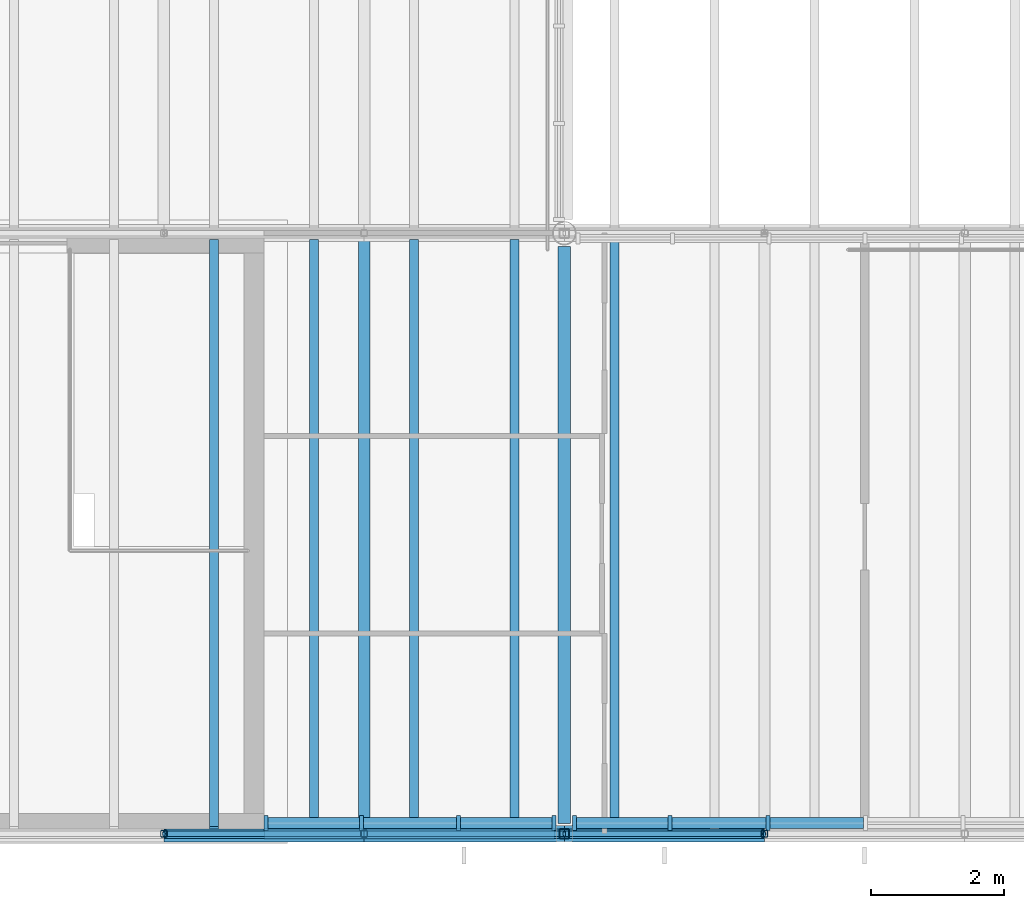
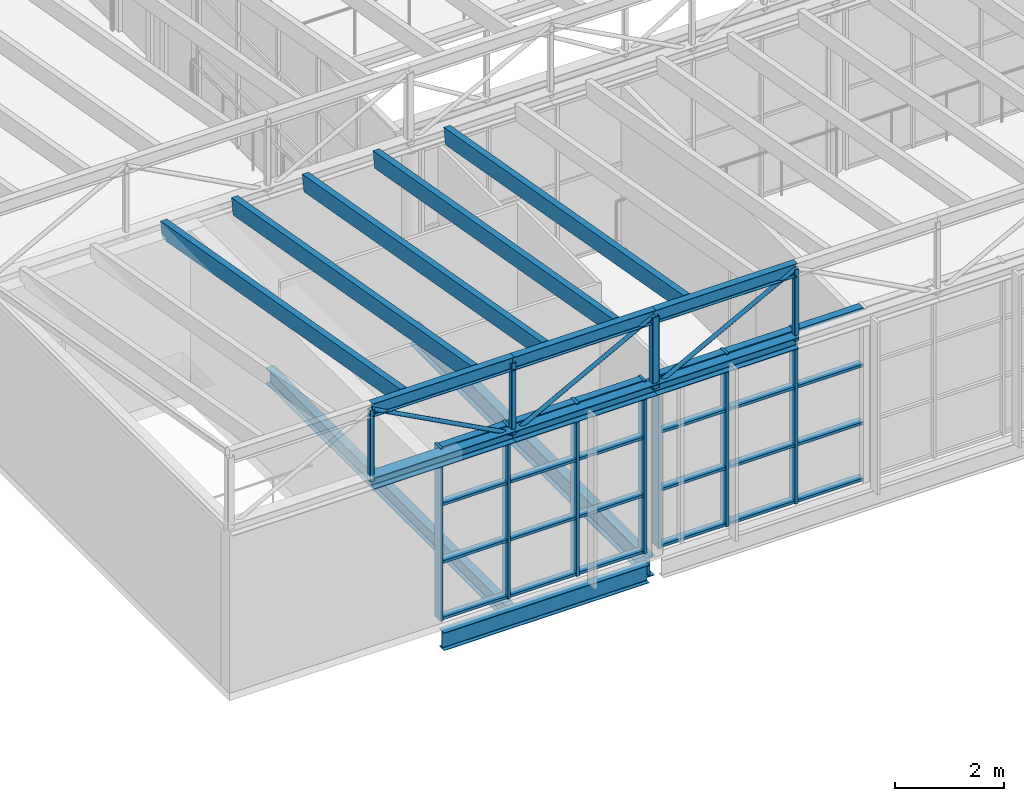
# One storey, part 6 of 44: 49 members, 3 beams, 2 elements without a shape of their own.
"""IFC4 building model written with IfcOpenShell, lengths in metres."""

from ifc_helpers import new_model, si_unit, direction, frame, origin, origin_2d, place, context, subcontext, project, spatial, rectangle, hollow_rectangle, hollow_circle, i_section, extrude, material, layer, layer_set, material_profile, profile_set, type_object, element, aggregate, save


model = new_model("IFC4")

# Units and contexts
model_context = context("Model", 3, precision=1e-05, world=origin(), true_north=direction((0.0, 1.0)))
body_context = subcontext(model_context, "Body", "Model", "MODEL_VIEW")
ifc_project = project(units=[si_unit("LENGTHUNIT", "METRE"), si_unit("AREAUNIT", "SQUARE_METRE"), si_unit("VOLUMEUNIT", "CUBIC_METRE"), si_unit("PLANEANGLEUNIT", "RADIAN"), si_unit("MASSUNIT", "GRAM", prefix="KILO")], contexts=[model_context])

# Site, building, storey
site_placement = place(None, origin())
site = spatial("IfcSite", under=ifc_project, at=site_placement, CompositionType="ELEMENT")
building_placement = place(site_placement, origin())
building = spatial("IfcBuilding", under=site, at=building_placement, Name="Halyard Row Museum", CompositionType="ELEMENT")
storey_placement = place(building_placement, frame((0.0, 0.0, 21.199951171875)))
storey = spatial("IfcBuildingStorey", under=building, at=storey_placement, Name="L04", CompositionType="ELEMENT", Elevation=21.199951171875)

# Curtain wall, members
ifc_material_1 = material(Name="Double glazed unit, low-emissivity", Category="glass")
ifc_layer = layer(ifc_material_1, 0.219970703125)
ifc_layer_set = layer_set([ifc_layer], Name="Double glazed unit, low-emissivity")
curtain_wall_type = type_object("IfcCurtainWallType", Name="Curtain wall unitised 220 deep", PredefinedType="NOTDEFINED", material=ifc_layer_set)
curtain_wall_1_placement = place(storey_placement, origin())
curtain_wall_1 = element("IfcCurtainWall", 1, at=curtain_wall_1_placement, inside=storey, type_object=curtain_wall_type, Name="Curtain wall CW055", PredefinedType="NOTDEFINED")
ifc_material_2 = material(Name="Powder-coated aluminium section", Category="aluminium")
ifc_material_profile_1 = material_profile(ifc_material_2, rectangle(XDim=0.219970703125, YDim=0.06005859375, at=origin_2d()), Name="220x60 mullion")
ifc_profile_set_1 = profile_set([ifc_material_profile_1], Name="Powder-coated aluminium section")
member_type_1 = type_object("IfcMemberType", Name="Curtain wall mullion CM3 60 x 220", PredefinedType="MULLION", material=ifc_profile_set_1)
member_1_placement = place(storey_placement, frame((76.530029296875, 0.159912109375, 0.0), z_axis=(0.0, 0.0, 1.0), x_axis=(0.0, 1.0, 0.0)))
member_1 = element("IfcMember", 2, at=member_1_placement, type_object=member_type_1, Name="CW055 mullion 1", PredefinedType="MULLION", context=body_context, shape_type="SweptSolid", body=[
    extrude(rectangle(XDim=0.219970703125, YDim=0.06005859375, at=origin_2d()), origin(), (0.0, 0.0, 1.0), 3.878173828125),
])
member_2_placement = place(storey_placement, frame((77.958251953125, 0.159912109375, 0.0), z_axis=(0.0, 0.0, 1.0), x_axis=(0.0, 1.0, 0.0)))
member_2 = element("IfcMember", 3, at=member_2_placement, type_object=member_type_1, Name="CW055 mullion 2", PredefinedType="MULLION", context=body_context, shape_type="SweptSolid", body=[
    extrude(rectangle(XDim=0.219970703125, YDim=0.06005859375, at=origin_2d()), origin(), (0.0, 0.0, 1.0), 3.878173828125),
])
member_3_placement = place(storey_placement, frame((79.416748046875, 0.159912109375, 0.0), z_axis=(0.0, 0.0, 1.0), x_axis=(0.0, 1.0, 0.0)))
member_3 = element("IfcMember", 4, at=member_3_placement, type_object=member_type_1, Name="CW055 mullion 3", PredefinedType="MULLION", context=body_context, shape_type="SweptSolid", body=[
    extrude(rectangle(XDim=0.219970703125, YDim=0.06005859375, at=origin_2d()), origin(), (0.0, 0.0, 1.0), 3.878173828125),
])
member_4_placement = place(storey_placement, frame((80.844970703125, 0.159912109375, 0.0), z_axis=(0.0, 0.0, 1.0), x_axis=(0.0, 1.0, 0.0)))
member_4 = element("IfcMember", 5, at=member_4_placement, type_object=member_type_1, Name="CW055 mullion 4", PredefinedType="MULLION", context=body_context, shape_type="SweptSolid", body=[
    extrude(rectangle(XDim=0.219970703125, YDim=0.06005859375, at=origin_2d()), origin(), (0.0, 0.0, 1.0), 3.878173828125),
])

curtain_wall_2_placement = place(storey_placement, origin())
curtain_wall_2 = element("IfcCurtainWall", 6, at=curtain_wall_2_placement, inside=storey, type_object=curtain_wall_type, Name="Curtain wall CW056", PredefinedType="NOTDEFINED")
member_5_placement = place(storey_placement, frame((81.155029296875, 0.159912109375, 0.0), z_axis=(0.0, 0.0, 1.0), x_axis=(0.0, 1.0, 0.0)))
member_5 = element("IfcMember", 7, at=member_5_placement, type_object=member_type_1, Name="CW056 mullion 1", PredefinedType="MULLION", context=body_context, shape_type="SweptSolid", body=[
    extrude(rectangle(XDim=0.219970703125, YDim=0.06005859375, at=origin_2d()), origin(), (0.0, 0.0, 1.0), 3.878173828125),
])
member_6_placement = place(storey_placement, frame((82.58740234375, 0.159912109375, 0.0), z_axis=(0.0, 0.0, 1.0), x_axis=(0.0, 1.0, 0.0)))
member_6 = element("IfcMember", 8, at=member_6_placement, type_object=member_type_1, Name="CW056 mullion 2", PredefinedType="MULLION", context=body_context, shape_type="SweptSolid", body=[
    extrude(rectangle(XDim=0.219970703125, YDim=0.06005859375, at=origin_2d()), origin(), (0.0, 0.0, 1.0), 3.878173828125),
])
member_7_placement = place(storey_placement, frame((84.050048828125, 0.159912109375, 0.0), z_axis=(0.0, 0.0, 1.0), x_axis=(0.0, 1.0, 0.0)))
member_7 = element("IfcMember", 9, at=member_7_placement, type_object=member_type_1, Name="CW056 mullion 3", PredefinedType="MULLION", context=body_context, shape_type="SweptSolid", body=[
    extrude(rectangle(XDim=0.219970703125, YDim=0.06005859375, at=origin_2d()), origin(), (0.0, 0.0, 1.0), 3.878173828125),
])

# Member
ifc_material_3 = material(Name="Powder-coated aluminium section", Category="aluminium")
ifc_material_profile_2 = material_profile(ifc_material_3, rectangle(XDim=0.159912109375, YDim=0.06005859375, at=origin_2d()), Name="160x60 transom")
ifc_profile_set_2 = profile_set([ifc_material_profile_2], Name="Powder-coated aluminium section")
member_type_2 = type_object("IfcMemberType", Name="Curtain wall transom CT3 60 x 160", PredefinedType="USERDEFINED", material=ifc_profile_set_2)
member_8_placement = place(storey_placement, frame((76.56005859375, 0.159912109375, 0.030029296875), z_axis=(1.0, 0.0, 0.0), x_axis=(0.0, 1.0, 0.0)))
member_8 = element("IfcMember", 10, at=member_8_placement, type_object=member_type_2, Name="CW055 transom 1.1", ObjectType="TRANSOM", PredefinedType="USERDEFINED", context=body_context, shape_type="SweptSolid", body=[
    extrude(rectangle(XDim=0.159912109375, YDim=0.06005859375, at=origin_2d()), origin(), (0.0, 0.0, 1.0), 1.3681640625),
])

member_9_placement = place(storey_placement, frame((76.56005859375, 0.159912109375, 1.292724609375), z_axis=(1.0, 0.0, 0.0), x_axis=(0.0, 1.0, 0.0)))
member_9 = element("IfcMember", 11, at=member_9_placement, type_object=member_type_2, Name="CW055 transom 1.2", ObjectType="TRANSOM", PredefinedType="USERDEFINED", context=body_context, shape_type="SweptSolid", body=[
    extrude(rectangle(XDim=0.159912109375, YDim=0.06005859375, at=origin_2d()), origin(), (0.0, 0.0, 1.0), 1.3681640625),
])

member_10_placement = place(storey_placement, frame((76.56005859375, 0.159912109375, 2.58544921875), z_axis=(1.0, 0.0, 0.0), x_axis=(0.0, 1.0, 0.0)))
member_10 = element("IfcMember", 12, at=member_10_placement, type_object=member_type_2, Name="CW055 transom 1.3", ObjectType="TRANSOM", PredefinedType="USERDEFINED", context=body_context, shape_type="SweptSolid", body=[
    extrude(rectangle(XDim=0.159912109375, YDim=0.06005859375, at=origin_2d()), origin(), (0.0, 0.0, 1.0), 1.3681640625),
])

member_11_placement = place(storey_placement, frame((76.56005859375, 0.159912109375, 3.84814453125), z_axis=(1.0, 0.0, 0.0), x_axis=(0.0, 1.0, 0.0)))
member_11 = element("IfcMember", 13, at=member_11_placement, type_object=member_type_2, Name="CW055 transom 1.4", ObjectType="TRANSOM", PredefinedType="USERDEFINED", context=body_context, shape_type="SweptSolid", body=[
    extrude(rectangle(XDim=0.159912109375, YDim=0.06005859375, at=origin_2d()), origin(), (0.0, 0.0, 1.0), 1.3681640625),
])

member_12_placement = place(storey_placement, frame((77.98828125, 0.159912109375, 0.030029296875), z_axis=(1.0, 0.0, 0.0), x_axis=(0.0, 1.0, 0.0)))
member_12 = element("IfcMember", 14, at=member_12_placement, type_object=member_type_2, Name="CW055 transom 2.1", ObjectType="TRANSOM", PredefinedType="USERDEFINED", context=body_context, shape_type="SweptSolid", body=[
    extrude(rectangle(XDim=0.159912109375, YDim=0.06005859375, at=origin_2d()), origin(), (0.0, 0.0, 1.0), 1.3984375),
])

member_13_placement = place(storey_placement, frame((77.98828125, 0.159912109375, 1.292724609375), z_axis=(1.0, 0.0, 0.0), x_axis=(0.0, 1.0, 0.0)))
member_13 = element("IfcMember", 15, at=member_13_placement, type_object=member_type_2, Name="CW055 transom 2.2", ObjectType="TRANSOM", PredefinedType="USERDEFINED", context=body_context, shape_type="SweptSolid", body=[
    extrude(rectangle(XDim=0.159912109375, YDim=0.06005859375, at=origin_2d()), origin(), (0.0, 0.0, 1.0), 1.3984375),
])

member_14_placement = place(storey_placement, frame((77.98828125, 0.159912109375, 2.58544921875), z_axis=(1.0, 0.0, 0.0), x_axis=(0.0, 1.0, 0.0)))
member_14 = element("IfcMember", 16, at=member_14_placement, type_object=member_type_2, Name="CW055 transom 2.3", ObjectType="TRANSOM", PredefinedType="USERDEFINED", context=body_context, shape_type="SweptSolid", body=[
    extrude(rectangle(XDim=0.159912109375, YDim=0.06005859375, at=origin_2d()), origin(), (0.0, 0.0, 1.0), 1.3984375),
])

member_15_placement = place(storey_placement, frame((77.98828125, 0.159912109375, 3.84814453125), z_axis=(1.0, 0.0, 0.0), x_axis=(0.0, 1.0, 0.0)))
member_15 = element("IfcMember", 17, at=member_15_placement, type_object=member_type_2, Name="CW055 transom 2.4", ObjectType="TRANSOM", PredefinedType="USERDEFINED", context=body_context, shape_type="SweptSolid", body=[
    extrude(rectangle(XDim=0.159912109375, YDim=0.06005859375, at=origin_2d()), origin(), (0.0, 0.0, 1.0), 1.3984375),
])

member_16_placement = place(storey_placement, frame((79.44677734375, 0.159912109375, 0.030029296875), z_axis=(1.0, 0.0, 0.0), x_axis=(0.0, 1.0, 0.0)))
member_16 = element("IfcMember", 18, at=member_16_placement, type_object=member_type_2, Name="CW055 transom 3.1", ObjectType="TRANSOM", PredefinedType="USERDEFINED", context=body_context, shape_type="SweptSolid", body=[
    extrude(rectangle(XDim=0.159912109375, YDim=0.06005859375, at=origin_2d()), origin(), (0.0, 0.0, 1.0), 1.3681640625),
])

member_17_placement = place(storey_placement, frame((79.44677734375, 0.159912109375, 1.292724609375), z_axis=(1.0, 0.0, 0.0), x_axis=(0.0, 1.0, 0.0)))
member_17 = element("IfcMember", 19, at=member_17_placement, type_object=member_type_2, Name="CW055 transom 3.2", ObjectType="TRANSOM", PredefinedType="USERDEFINED", context=body_context, shape_type="SweptSolid", body=[
    extrude(rectangle(XDim=0.159912109375, YDim=0.06005859375, at=origin_2d()), origin(), (0.0, 0.0, 1.0), 1.3681640625),
])

member_18_placement = place(storey_placement, frame((79.44677734375, 0.159912109375, 2.58544921875), z_axis=(1.0, 0.0, 0.0), x_axis=(0.0, 1.0, 0.0)))
member_18 = element("IfcMember", 20, at=member_18_placement, type_object=member_type_2, Name="CW055 transom 3.3", ObjectType="TRANSOM", PredefinedType="USERDEFINED", context=body_context, shape_type="SweptSolid", body=[
    extrude(rectangle(XDim=0.159912109375, YDim=0.06005859375, at=origin_2d()), origin(), (0.0, 0.0, 1.0), 1.3681640625),
])

member_19_placement = place(storey_placement, frame((79.44677734375, 0.159912109375, 3.84814453125), z_axis=(1.0, 0.0, 0.0), x_axis=(0.0, 1.0, 0.0)))
member_19 = element("IfcMember", 21, at=member_19_placement, type_object=member_type_2, Name="CW055 transom 3.4", ObjectType="TRANSOM", PredefinedType="USERDEFINED", context=body_context, shape_type="SweptSolid", body=[
    extrude(rectangle(XDim=0.159912109375, YDim=0.06005859375, at=origin_2d()), origin(), (0.0, 0.0, 1.0), 1.3681640625),
])

aggregate(curtain_wall_1, [member_1, member_2, member_3, member_4, member_8, member_9, member_10, member_11, member_12, member_13, member_14, member_15, member_16, member_17, member_18, member_19])

member_20_placement = place(storey_placement, frame((81.18505859375, 0.159912109375, 0.030029296875), z_axis=(1.0, 0.0, 0.0), x_axis=(0.0, 1.0, 0.0)))
member_20 = element("IfcMember", 22, at=member_20_placement, type_object=member_type_2, Name="CW056 transom 1.1", ObjectType="TRANSOM", PredefinedType="USERDEFINED", context=body_context, shape_type="SweptSolid", body=[
    extrude(rectangle(XDim=0.159912109375, YDim=0.06005859375, at=origin_2d()), origin(), (0.0, 0.0, 1.0), 1.37255859375),
])

member_21_placement = place(storey_placement, frame((81.18505859375, 0.159912109375, 1.292724609375), z_axis=(1.0, 0.0, 0.0), x_axis=(0.0, 1.0, 0.0)))
member_21 = element("IfcMember", 23, at=member_21_placement, type_object=member_type_2, Name="CW056 transom 1.2", ObjectType="TRANSOM", PredefinedType="USERDEFINED", context=body_context, shape_type="SweptSolid", body=[
    extrude(rectangle(XDim=0.159912109375, YDim=0.06005859375, at=origin_2d()), origin(), (0.0, 0.0, 1.0), 1.37255859375),
])

member_22_placement = place(storey_placement, frame((81.18505859375, 0.159912109375, 2.58544921875), z_axis=(1.0, 0.0, 0.0), x_axis=(0.0, 1.0, 0.0)))
member_22 = element("IfcMember", 24, at=member_22_placement, type_object=member_type_2, Name="CW056 transom 1.3", ObjectType="TRANSOM", PredefinedType="USERDEFINED", context=body_context, shape_type="SweptSolid", body=[
    extrude(rectangle(XDim=0.159912109375, YDim=0.06005859375, at=origin_2d()), origin(), (0.0, 0.0, 1.0), 1.37255859375),
])

member_23_placement = place(storey_placement, frame((81.18505859375, 0.159912109375, 3.84814453125), z_axis=(1.0, 0.0, 0.0), x_axis=(0.0, 1.0, 0.0)))
member_23 = element("IfcMember", 25, at=member_23_placement, type_object=member_type_2, Name="CW056 transom 1.4", ObjectType="TRANSOM", PredefinedType="USERDEFINED", context=body_context, shape_type="SweptSolid", body=[
    extrude(rectangle(XDim=0.159912109375, YDim=0.06005859375, at=origin_2d()), origin(), (0.0, 0.0, 1.0), 1.37255859375),
])

member_24_placement = place(storey_placement, frame((82.617431640625, 0.159912109375, 0.030029296875), z_axis=(1.0, 0.0, 0.0), x_axis=(0.0, 1.0, 0.0)))
member_24 = element("IfcMember", 26, at=member_24_placement, type_object=member_type_2, Name="CW056 transom 2.1", ObjectType="TRANSOM", PredefinedType="USERDEFINED", context=body_context, shape_type="SweptSolid", body=[
    extrude(rectangle(XDim=0.159912109375, YDim=0.06005859375, at=origin_2d()), origin(), (0.0, 0.0, 1.0), 1.402587890625),
])

member_25_placement = place(storey_placement, frame((82.617431640625, 0.159912109375, 1.292724609375), z_axis=(1.0, 0.0, 0.0), x_axis=(0.0, 1.0, 0.0)))
member_25 = element("IfcMember", 27, at=member_25_placement, type_object=member_type_2, Name="CW056 transom 2.2", ObjectType="TRANSOM", PredefinedType="USERDEFINED", context=body_context, shape_type="SweptSolid", body=[
    extrude(rectangle(XDim=0.159912109375, YDim=0.06005859375, at=origin_2d()), origin(), (0.0, 0.0, 1.0), 1.402587890625),
])

member_26_placement = place(storey_placement, frame((82.617431640625, 0.159912109375, 2.58544921875), z_axis=(1.0, 0.0, 0.0), x_axis=(0.0, 1.0, 0.0)))
member_26 = element("IfcMember", 28, at=member_26_placement, type_object=member_type_2, Name="CW056 transom 2.3", ObjectType="TRANSOM", PredefinedType="USERDEFINED", context=body_context, shape_type="SweptSolid", body=[
    extrude(rectangle(XDim=0.159912109375, YDim=0.06005859375, at=origin_2d()), origin(), (0.0, 0.0, 1.0), 1.402587890625),
])

member_27_placement = place(storey_placement, frame((82.617431640625, 0.159912109375, 3.84814453125), z_axis=(1.0, 0.0, 0.0), x_axis=(0.0, 1.0, 0.0)))
member_27 = element("IfcMember", 29, at=member_27_placement, type_object=member_type_2, Name="CW056 transom 2.4", ObjectType="TRANSOM", PredefinedType="USERDEFINED", context=body_context, shape_type="SweptSolid", body=[
    extrude(rectangle(XDim=0.159912109375, YDim=0.06005859375, at=origin_2d()), origin(), (0.0, 0.0, 1.0), 1.402587890625),
])

member_28_placement = place(storey_placement, frame((84.080078125, 0.159912109375, 0.030029296875), z_axis=(1.0, 0.0, 0.0), x_axis=(0.0, 1.0, 0.0)))
member_28 = element("IfcMember", 30, at=member_28_placement, type_object=member_type_2, Name="CW056 transom 3.1", ObjectType="TRANSOM", PredefinedType="USERDEFINED", context=body_context, shape_type="SweptSolid", body=[
    extrude(rectangle(XDim=0.159912109375, YDim=0.06005859375, at=origin_2d()), origin(), (0.0, 0.0, 1.0), 1.40234375),
])

member_29_placement = place(storey_placement, frame((84.080078125, 0.159912109375, 1.292724609375), z_axis=(1.0, 0.0, 0.0), x_axis=(0.0, 1.0, 0.0)))
member_29 = element("IfcMember", 31, at=member_29_placement, type_object=member_type_2, Name="CW056 transom 3.2", ObjectType="TRANSOM", PredefinedType="USERDEFINED", context=body_context, shape_type="SweptSolid", body=[
    extrude(rectangle(XDim=0.159912109375, YDim=0.06005859375, at=origin_2d()), origin(), (0.0, 0.0, 1.0), 1.40234375),
])

member_30_placement = place(storey_placement, frame((84.080078125, 0.159912109375, 2.58544921875), z_axis=(1.0, 0.0, 0.0), x_axis=(0.0, 1.0, 0.0)))
member_30 = element("IfcMember", 32, at=member_30_placement, type_object=member_type_2, Name="CW056 transom 3.3", ObjectType="TRANSOM", PredefinedType="USERDEFINED", context=body_context, shape_type="SweptSolid", body=[
    extrude(rectangle(XDim=0.159912109375, YDim=0.06005859375, at=origin_2d()), origin(), (0.0, 0.0, 1.0), 1.40234375),
])

member_31_placement = place(storey_placement, frame((84.080078125, 0.159912109375, 3.84814453125), z_axis=(1.0, 0.0, 0.0), x_axis=(0.0, 1.0, 0.0)))
member_31 = element("IfcMember", 33, at=member_31_placement, type_object=member_type_2, Name="CW056 transom 3.4", ObjectType="TRANSOM", PredefinedType="USERDEFINED", context=body_context, shape_type="SweptSolid", body=[
    extrude(rectangle(XDim=0.159912109375, YDim=0.06005859375, at=origin_2d()), origin(), (0.0, 0.0, 1.0), 1.40234375),
])

aggregate(curtain_wall_2, [member_5, member_6, member_7, member_20, member_21, member_22, member_23, member_24, member_25, member_26, member_27, member_28, member_29, member_30, member_31])

# Beams
ifc_material_4 = material(Name="Steel Grade 300", Category="steel")
ifc_material_profile_3 = material_profile(ifc_material_4, i_section(OverallWidth=0.177978515625, OverallDepth=0.402587890625, WebThickness=0.007568359375, FlangeThickness=0.010986328125, FilletRadius=0.011474609375, at=origin_2d()), Name="410UB53.7")
ifc_profile_set_3 = profile_set([ifc_material_profile_3], Name="Steel Grade 300")
beam_type_1 = type_object("IfcBeamType", Name="Edge beam 410UB53.7", PredefinedType="BEAM", material=ifc_profile_set_3)
beam_1_placement = place(storey_placement, frame((76.5, 0.0, -0.3662109375), z_axis=(1.0, 0.0, 0.0), x_axis=(0.0, 1.0, 0.0)))
element("IfcBeam", 34, at=beam_1_placement, inside=storey, type_object=beam_type_1, Name="Beam L04-001", PredefinedType="BEAM", context=body_context, shape_type="SweptSolid", body=[
    extrude(i_section(OverallWidth=0.177978515625, OverallDepth=0.402587890625, WebThickness=0.007568359375, FlangeThickness=0.010986328125, FilletRadius=0.011474609375, at=origin_2d()), origin(), (0.0, 0.0, 1.0), 4.35009765625),
])
ifc_material_5 = material(Name="Steel Grade 300", Category="steel")
ifc_material_profile_4 = material_profile(ifc_material_5, i_section(OverallWidth=0.19091796875, OverallDepth=0.46044921875, WebThickness=0.010009765625, FlangeThickness=0.01611328125, FilletRadius=0.011474609375, at=origin_2d()), Name="460UB82.1")
ifc_profile_set_4 = profile_set([ifc_material_profile_4], Name="Steel Grade 300")
beam_type_2 = type_object("IfcBeamType", Name="Girder beam 460UB82.1", PredefinedType="BEAM", material=ifc_profile_set_4)
beam_2_placement = place(storey_placement, frame((81.0, 0.14990234375, -0.395263671875), z_axis=(0.0, 1.0, 0.0), x_axis=(-1.0, 0.0, 0.0)))
element("IfcBeam", 35, at=beam_2_placement, inside=storey, type_object=beam_type_2, Name="Beam L04-021", PredefinedType="BEAM", context=body_context, shape_type="SweptSolid", body=[
    extrude(i_section(OverallWidth=0.19091796875, OverallDepth=0.46044921875, WebThickness=0.010009765625, FlangeThickness=0.01611328125, FilletRadius=0.011474609375, at=origin_2d()), origin(), (0.0, 0.0, 1.0), 8.64697265625),
])

# Members
ifc_material_6 = material(Name="Glulam GL12 radiata pine", Category="wood")
ifc_material_profile_5 = material_profile(ifc_material_6, rectangle(XDim=0.135009765625, YDim=0.360107421875, at=origin_2d()), Name="GL12 135x360")
ifc_profile_set_5 = profile_set([ifc_material_profile_5], Name="Glulam GL12 radiata pine")
member_type_3 = type_object("IfcMemberType", Name="Rafter GL12 135x360", PredefinedType="RAFTER", material=ifc_profile_set_5)
for number, where, z_axis, x_axis, name in (
    (36, (75.75, 0.074462890625, 5.283935546875), (0.0, 0.984562193919, -0.175035100209), (-1.0, 0.0, 0.0), "Rafter V2-T1a.3"),
    (37, (77.25, 0.074462890625, 5.283935546875), (0.0, 0.984562193919, -0.175035100209), (-1.0, 0.0, 0.0), "Rafter V2-T1a.4"),
    (38, (78.75, 0.074462890625, 5.283935546875), (0.0, 0.984562193919, -0.175035100209), (-1.0, 0.0, 0.0), "Rafter V2-T1a.5"),
    (39, (80.25, 0.074462890625, 5.283935546875), (0.0, 0.984562193919, -0.175035100209), (-1.0, 0.0, 0.0), "Rafter V2-T1a.6"),
    (40, (81.75, 0.074462890625, 5.283935546875), (0.0, 0.984562193919, -0.175035100209), (-1.0, 0.0, 0.0), "Rafter V2-T1a.7"),
):
    element("IfcMember", number, at=place(storey_placement, frame(where, z_axis=z_axis, x_axis=x_axis)), inside=storey, type_object=member_type_3, Name=name, PredefinedType="RAFTER", context=body_context, shape_type="SweptSolid", body=[
        extrude(rectangle(XDim=0.135009765625, YDim=0.360107421875, at=origin_2d()), origin(), (0.0, 0.0, 1.0), 8.9365234375),
    ])

# Beam
ifc_material_7 = material(Name="Steel Grade 300", Category="steel")
ifc_material_profile_6 = material_profile(ifc_material_7, i_section(OverallWidth=0.1708984375, OverallDepth=0.355712890625, WebThickness=0.00732421875, FlangeThickness=0.011474609375, FilletRadius=0.011474609375, at=origin_2d()), Name="360UB50.7")
ifc_profile_set_6 = profile_set([ifc_material_profile_6], Name="Steel Grade 300")
beam_type_3 = type_object("IfcBeamType", Name="Secondary beam 360UB50.7", PredefinedType="BEAM", material=ifc_profile_set_6)
beam_3_placement = place(storey_placement, frame((78.0, 0.089111328125, -0.3427734375), z_axis=(0.0, 1.0, 0.0), x_axis=(-1.0, 0.0, 0.0)))
element("IfcBeam", 41, at=beam_3_placement, inside=storey, type_object=beam_type_3, Name="Beam L04-033", PredefinedType="BEAM", context=body_context, shape_type="SweptSolid", body=[
    extrude(i_section(OverallWidth=0.1708984375, OverallDepth=0.355712890625, WebThickness=0.00732421875, FlangeThickness=0.011474609375, FilletRadius=0.011474609375, at=origin_2d()), origin(), (0.0, 0.0, 1.0), 8.8154296875),
])

# Members
ifc_material_8 = material(Name="Steel Grade 300", Category="steel")
ifc_material_profile_7 = material_profile(ifc_material_8, i_section(OverallWidth=0.25390625, OverallDepth=0.25390625, WebThickness=0.008544921875, FlangeThickness=0.01416015625, FilletRadius=0.013916015625, at=origin_2d()), Name="250UC72.9")
ifc_profile_set_7 = profile_set([ifc_material_profile_7], Name="Steel Grade 300")
member_type_4 = type_object("IfcMemberType", Name="Valley truss bottom chord 250UC72.9", PredefinedType="CHORD", material=ifc_profile_set_7)
for number, where, z_axis, x_axis, name in (
    (42, (75.0, 0.0, 3.72705078125), (1.0, 0.0, 0.0), (0.0, 1.0, 0.0), "V2-VT1 bottom chord 1.2"),
    (43, (78.0, 0.0, 3.72705078125), (1.0, 0.0, 0.0), (0.0, 1.0, 0.0), "V2-VT1 bottom chord 1.3"),
    (44, (81.0, 0.0, 3.72705078125), (1.0, 0.0, 0.0), (0.0, 1.0, 0.0), "V2-VT1 bottom chord 2.1"),
):
    element("IfcMember", number, at=place(storey_placement, frame(where, z_axis=z_axis, x_axis=x_axis)), inside=storey, type_object=member_type_4, Name=name, PredefinedType="CHORD", context=body_context, shape_type="SweptSolid", body=[
        extrude(i_section(OverallWidth=0.25390625, OverallDepth=0.25390625, WebThickness=0.008544921875, FlangeThickness=0.01416015625, FilletRadius=0.013916015625, at=origin_2d()), origin(), (0.0, 0.0, 1.0), 3.0),
    ])
ifc_material_9 = material(Name="Steel Grade C250L0", Category="steel")
ifc_material_profile_8 = material_profile(ifc_material_9, hollow_circle(Radius=0.04443359375, WallThickness=0.0048828125, at=origin_2d()), Name="88.9x5.0CHS")
ifc_profile_set_8 = profile_set([ifc_material_profile_8], Name="Steel Grade C250L0")
member_type_5 = type_object("IfcMemberType", Name="Valley truss diagonal 88.9x5.0CHS", PredefinedType="BRACE", material=ifc_profile_set_8)
for number, where, z_axis, x_axis, name in (
    (45, (75.0, 0.0, 5.3310546875), (0.881863759518, 0.0, -0.471504305016), (0.0, 1.0, 0.0), "V2-VT1 diagonal 1.2"),
    (46, (78.0, 0.0, 3.72705078125), (0.881863759518, 0.0, 0.471504305016), (0.0, 1.0, 0.0), "V2-VT1 diagonal 1.3"),
    (47, (81.0, 0.0, 3.72705078125), (0.881863759518, 0.0, 0.471504305016), (0.0, 1.0, 0.0), "V2-VT1 diagonal 2.1"),
):
    element("IfcMember", number, at=place(storey_placement, frame(where, z_axis=z_axis, x_axis=x_axis)), inside=storey, type_object=member_type_5, Name=name, PredefinedType="BRACE", context=body_context, shape_type="SweptSolid", body=[
        extrude(hollow_circle(Radius=0.04443359375, WallThickness=0.0048828125, at=origin_2d()), origin(), (0.0, 0.0, 1.0), 3.40185546875),
    ])
ifc_material_10 = material(Name="Steel Grade C350L0", Category="steel")
ifc_material_profile_9 = material_profile(ifc_material_10, hollow_rectangle(XDim=0.10009765625, YDim=0.10009765625, WallThickness=0.006103515625, InnerFilletRadius=0.009033203125, OuterFilletRadius=0.014892578125, at=origin_2d()), Name="100x100x6.0SHS")
ifc_profile_set_9 = profile_set([ifc_material_profile_9], Name="Steel Grade C350L0")
member_type_6 = type_object("IfcMemberType", Name="Valley truss post 100x100x6.0SHS", PredefinedType="POST", material=ifc_profile_set_9)
for number, where, z_axis, x_axis, name in (
    (48, (75.0, 0.0, 3.72705078125), (0.0, 0.0, 1.0), (1.0, 0.0, 0.0), "V2-VT1 post 1.1"),
    (49, (78.0, 0.0, 3.72705078125), (0.0, 0.0, 1.0), (1.0, 0.0, 0.0), "V2-VT1 post 1.2"),
    (50, (84.0, 0.0, 3.72705078125), (0.0, 0.0, 1.0), (1.0, 0.0, 0.0), "V2-VT1 post 2.1"),
):
    element("IfcMember", number, at=place(storey_placement, frame(where, z_axis=z_axis, x_axis=x_axis)), inside=storey, type_object=member_type_6, Name=name, PredefinedType="POST", context=body_context, shape_type="SweptSolid", body=[
        extrude(hollow_rectangle(XDim=0.10009765625, YDim=0.10009765625, WallThickness=0.006103515625, InnerFilletRadius=0.009033203125, OuterFilletRadius=0.014892578125, at=origin_2d()), origin(), (0.0, 0.0, 1.0), 1.60400390625),
    ])
ifc_material_11 = material(Name="Steel Grade C350L0", Category="steel")
ifc_material_profile_10 = material_profile(ifc_material_11, hollow_rectangle(XDim=0.14990234375, YDim=0.14990234375, WallThickness=0.006103515625, InnerFilletRadius=0.009033203125, OuterFilletRadius=0.014892578125, at=origin_2d()), Name="150x150x6.0SHS")
ifc_profile_set_10 = profile_set([ifc_material_profile_10], Name="Steel Grade C350L0")
member_type_7 = type_object("IfcMemberType", Name="Valley truss post 150x150x6.0SHS", PredefinedType="POST", material=ifc_profile_set_10)
member_32_placement = place(storey_placement, frame((81.0, 0.0, 3.72705078125), z_axis=(0.0, 0.0, 1.0), x_axis=(1.0, 0.0, 0.0)))
element("IfcMember", 51, at=member_32_placement, inside=storey, type_object=member_type_7, Name="V2-VT1 post 1.3", PredefinedType="POST", context=body_context, shape_type="SweptSolid", body=[
    extrude(hollow_rectangle(XDim=0.14990234375, YDim=0.14990234375, WallThickness=0.006103515625, InnerFilletRadius=0.009033203125, OuterFilletRadius=0.014892578125, at=origin_2d()), origin(), (0.0, 0.0, 1.0), 1.60400390625),
])
ifc_material_12 = material(Name="Steel Grade 300", Category="steel")
ifc_material_profile_11 = material_profile(ifc_material_12, i_section(OverallWidth=0.14892578125, OverallDepth=0.298095703125, WebThickness=0.005615234375, FlangeThickness=0.008056640625, FilletRadius=0.012939453125, at=origin_2d()), Name="310UB32.0")
ifc_profile_set_11 = profile_set([ifc_material_profile_11], Name="Steel Grade 300")
member_type_8 = type_object("IfcMemberType", Name="Valley truss top chord 310UB32.0", PredefinedType="CHORD", material=ifc_profile_set_11)
for number, where, z_axis, x_axis, name in (
    (52, (75.0, 0.0, 5.3310546875), (1.0, 0.0, 0.0), (0.0, 1.0, 0.0), "V2-VT1 top chord 1.2"),
    (53, (78.0, 0.0, 5.3310546875), (1.0, 0.0, 0.0), (0.0, 1.0, 0.0), "V2-VT1 top chord 1.3"),
    (54, (81.0, 0.0, 5.3310546875), (1.0, 0.0, 0.0), (0.0, 1.0, 0.0), "V2-VT1 top chord 2.1"),
):
    element("IfcMember", number, at=place(storey_placement, frame(where, z_axis=z_axis, x_axis=x_axis)), inside=storey, type_object=member_type_8, Name=name, PredefinedType="CHORD", context=body_context, shape_type="SweptSolid", body=[
        extrude(i_section(OverallWidth=0.14892578125, OverallDepth=0.298095703125, WebThickness=0.005615234375, FlangeThickness=0.008056640625, FilletRadius=0.012939453125, at=origin_2d()), origin(), (0.0, 0.0, 1.0), 3.0),
    ])

save(model, "model.ifc")
